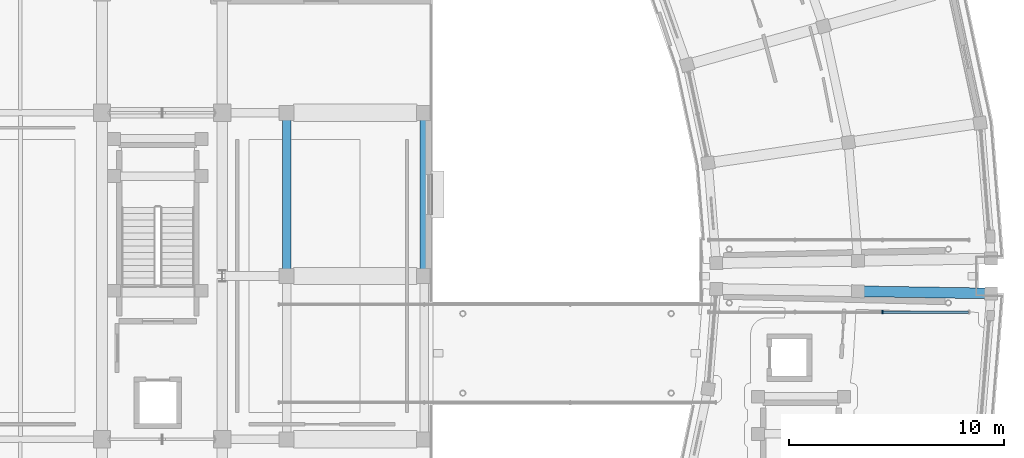
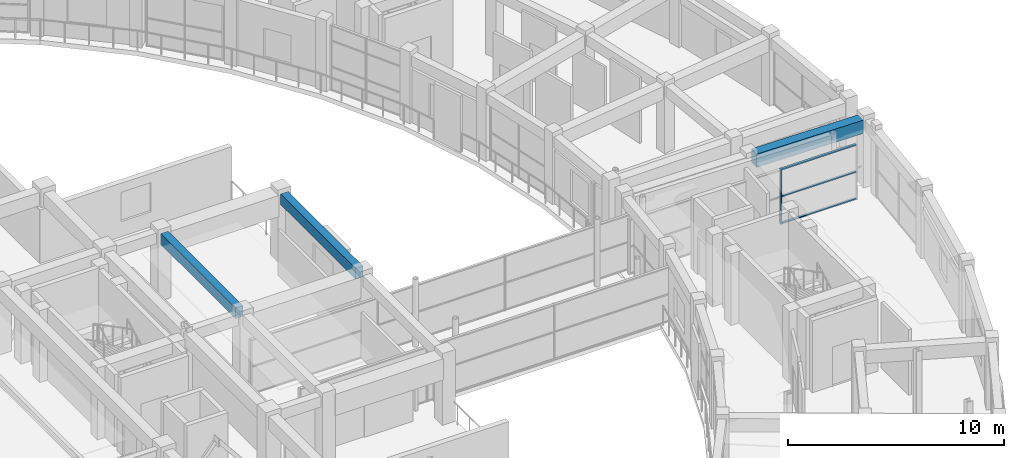
# One storey, part 26 of 70: 4 members, 3 beams, 1 element without a shape of its own.
"""IFC4 building model written with IfcOpenShell, lengths in metres."""

from ifc_helpers import new_model, si_unit, direction, frame, origin, origin_2d, place, context, subcontext, project, spatial, rectangle, extrude, material, material_profile, profile_set, type_object, element, aggregate, save


model = new_model("IFC4")

# Units and contexts
model_context = context("Model", 3, precision=1e-05, world=origin(), true_north=direction((0.0, 1.0)))
body_context = subcontext(model_context, "Body", "Model", "MODEL_VIEW")
ifc_project = project(units=[si_unit("LENGTHUNIT", "METRE"), si_unit("AREAUNIT", "SQUARE_METRE"), si_unit("VOLUMEUNIT", "CUBIC_METRE"), si_unit("PLANEANGLEUNIT", "RADIAN"), si_unit("MASSUNIT", "GRAM", prefix="KILO")], contexts=[model_context])

# Site, building, storey
site_placement = place(None, origin())
site = spatial("IfcSite", under=ifc_project, at=site_placement, CompositionType="ELEMENT")
building_placement = place(site_placement, origin())
building = spatial("IfcBuilding", under=site, at=building_placement, Name="Saryqyr Civic Hall", CompositionType="ELEMENT")
storey_placement = place(building_placement, frame((0.0, 0.0, 13.199951171875)))
storey = spatial("IfcBuildingStorey", under=building, at=storey_placement, Name="L03", CompositionType="ELEMENT", Elevation=13.199951171875)

# Curtain wall, members
ifc_material_1 = material(Name="Anodised aluminium and triple low-E glass", Category="aluminium")
curtain_wall_type = type_object("IfcCurtainWallType", Name="ENV-CW-STD-81", PredefinedType="NOTDEFINED", material=ifc_material_1)
curtain_wall_placement = place(storey_placement, origin())
curtain_wall = element("IfcCurtainWall", 1, at=curtain_wall_placement, inside=storey, type_object=curtain_wall_type, Name="Curtain wall BR-E-CW1-L03", PredefinedType="NOTDEFINED")
ifc_material_2 = material(Name="Anodised aluminium", Category="aluminium")
ifc_material_profile_1 = material_profile(ifc_material_2, rectangle(XDim=0.06005859375, YDim=0.159912109375, at=origin_2d()), Name="ALU MULLION 60x160")
ifc_profile_set_1 = profile_set([ifc_material_profile_1], Name="Anodised aluminium")
member_type_1 = type_object("IfcMemberType", Name="ENV-CW-MUL-180", PredefinedType="MULLION", material=ifc_profile_set_1)
member_1_placement = place(storey_placement, frame((100.933349609375, 82.320068359375, 0.0), z_axis=(0.0, 0.0, 1.0), x_axis=(-1.0, 0.0, 0.0)))
member_1 = element("IfcMember", 2, at=member_1_placement, type_object=member_type_1, Name="CW-81 mullion 2", PredefinedType="MULLION", context=body_context, shape_type="SweptSolid", body=[
    extrude(rectangle(XDim=0.06005859375, YDim=0.159912109375, at=origin_2d()), origin(), (0.0, 0.0, 1.0), 3.10009765625),
])
ifc_material_profile_2 = material_profile(ifc_material_2, rectangle(XDim=0.1201171875, YDim=0.06005859375, at=origin_2d()), Name="ALU TRANSOM 120x60")
ifc_profile_set_2 = profile_set([ifc_material_profile_2], Name="Anodised aluminium")
member_type_2 = type_object("IfcMemberType", Name="ENV-CW-TRN-150", PredefinedType="USERDEFINED", material=ifc_profile_set_2)
member_2_placement = place(storey_placement, frame((104.93994140625, 82.320068359375, 0.030029296875), z_axis=(-1.0, 0.0, 0.0), x_axis=(0.0, -1.0, 0.0)))
member_2 = element("IfcMember", 3, at=member_2_placement, type_object=member_type_2, Name="CW-81 transom 1.1", ObjectType="TRANSOM", PredefinedType="USERDEFINED", context=body_context, shape_type="SweptSolid", body=[
    extrude(rectangle(XDim=0.1201171875, YDim=0.06005859375, at=origin_2d()), origin(), (0.0, 0.0, 1.0), 3.9765625),
])
member_3_placement = place(storey_placement, frame((104.93994140625, 82.320068359375, 1.550048828125), z_axis=(-1.0, 0.0, 0.0), x_axis=(0.0, -1.0, 0.0)))
member_3 = element("IfcMember", 4, at=member_3_placement, type_object=member_type_2, Name="CW-81 transom 1.2", ObjectType="TRANSOM", PredefinedType="USERDEFINED", context=body_context, shape_type="SweptSolid", body=[
    extrude(rectangle(XDim=0.1201171875, YDim=0.06005859375, at=origin_2d()), origin(), (0.0, 0.0, 1.0), 3.9765625),
])
member_4_placement = place(storey_placement, frame((104.93994140625, 82.320068359375, 3.070068359375), z_axis=(-1.0, 0.0, 0.0), x_axis=(0.0, -1.0, 0.0)))
member_4 = element("IfcMember", 5, at=member_4_placement, type_object=member_type_2, Name="CW-81 transom 1.3", ObjectType="TRANSOM", PredefinedType="USERDEFINED", context=body_context, shape_type="SweptSolid", body=[
    extrude(rectangle(XDim=0.1201171875, YDim=0.06005859375, at=origin_2d()), origin(), (0.0, 0.0, 1.0), 3.9765625),
])
aggregate(curtain_wall, [member_1, member_2, member_3, member_4])

# Beams
ifc_material_3 = material(Name="Concrete C35/45", Category="concrete")
ifc_material_profile_3 = material_profile(ifc_material_3, rectangle(XDim=0.39990234375, YDim=0.60009765625, at=origin_2d()), Name="RC 400x600")
ifc_profile_set_3 = profile_set([ifc_material_profile_3], Name="Concrete C35/45")
beam_type_1 = type_object("IfcBeamType", Name="STR-BM-RC400x600", PredefinedType="BEAM", material=ifc_profile_set_3)
for number, where, z_axis, x_axis, name in (
    (6, (79.60009765625, 84.324951171875, 3.489990234375), (0.0, 1.0, 0.0), (-1.0, 0.0, 0.0), "Beam V1-TBM-04-L03"),
    (7, (73.199951171875, 84.324951171875, 3.489990234375), (0.0, 1.0, 0.0), (-1.0, 0.0, 0.0), "Beam V1-TBM-22-L03"),
):
    element("IfcBeam", number, at=place(storey_placement, frame(where, z_axis=z_axis, x_axis=x_axis)), inside=storey, type_object=beam_type_1, Name=name, PredefinedType="BEAM", context=body_context, shape_type="SweptSolid", body=[
        extrude(rectangle(XDim=0.39990234375, YDim=0.60009765625, at=origin_2d()), origin(), (0.0, 0.0, 1.0), 6.949951171875),
    ])
ifc_material_4 = material(Name="Concrete C40/50", Category="concrete")
ifc_material_profile_4 = material_profile(ifc_material_4, rectangle(XDim=0.5, YDim=0.75, at=origin_2d()), Name="RC 500x750")
ifc_profile_set_4 = profile_set([ifc_material_profile_4], Name="Concrete C40/50")
beam_type_2 = type_object("IfcBeamType", Name="STR-BM-RC500x750", PredefinedType="BEAM", material=ifc_profile_set_4)
beam_placement = place(storey_placement, frame((100.069091796875, 83.285888671875, 3.4150390625), z_axis=(0.999862325475, -0.016593073728, 0.0), x_axis=(0.016593073728, 0.999862325475, 0.0)))
element("IfcBeam", 8, at=beam_placement, inside=storey, type_object=beam_type_2, Name="Beam V5-RBM-B10-L03", PredefinedType="BEAM", context=body_context, shape_type="SweptSolid", body=[
    extrude(rectangle(XDim=0.5, YDim=0.75, at=origin_2d()), origin(), (0.0, 0.0, 1.0), 5.64990234375),
])

save(model, "model.ifc")
